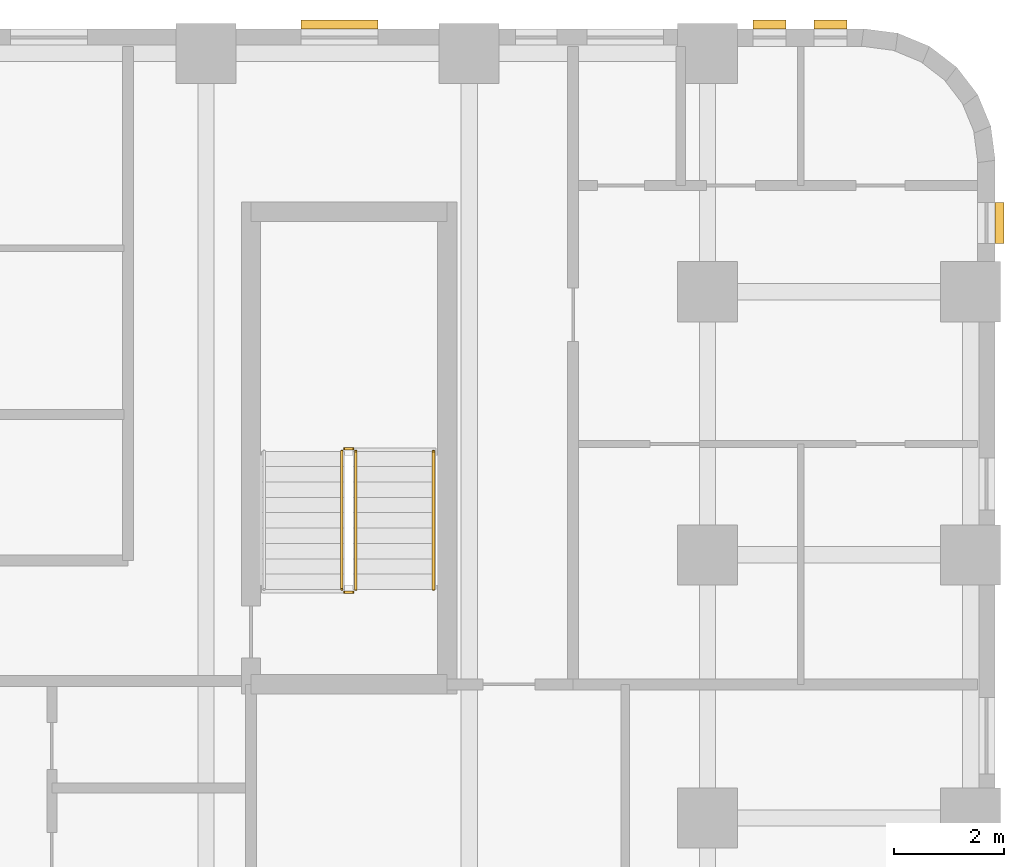
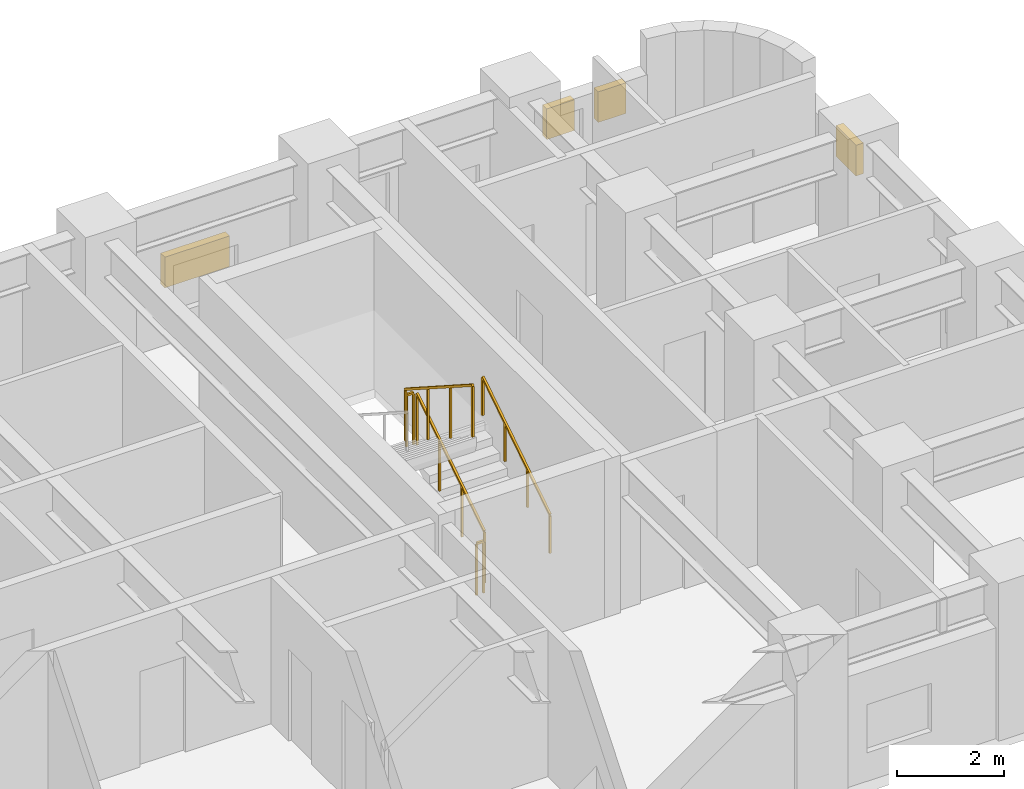
# One storey, part 11 of 11: 5 railings, 4 shading devices.
"""IFC4 building model written with IfcOpenShell, lengths in metres."""

import ifcopenshell
import ifcopenshell.guid

model = None  # the IFC model being written
_history = None  # IfcOwnerHistory: only IFC2X3 demands one
_inside = {}  # id of a spatial element -> (the spatial element, [elements in it])
_under = {}  # id of a project, library or spatial element -> (it, [spatial elements below it])
_declared = {}  # id of a project -> (the project, [libraries it declares])
_typed = {}  # id of a type object -> (the type object, [elements of that type])
_made_of = {}  # id of a material, layer set ... -> (it, [elements and type objects made of it])


def new_model(schema):
    """Start an empty IFC model of exactly this schema.

    Asked for "IFC4X3", IfcOpenShell would pick the latest addendum, in which some entities
    have other attributes; the version numbers below select the first issue.
    IFC2X3 requires an IfcOwnerHistory on every rooted entity: one is made here for all.
    """
    global model, _history
    if schema == "IFC4X3":
        model = ifcopenshell.file(schema_version=(4, 3, 0, 0))
    else:
        model = ifcopenshell.file(schema=schema)
    _inside.clear()
    _under.clear()
    _declared.clear()
    _typed.clear()
    _made_of.clear()
    _history = None
    if model.schema == "IFC2X3":
        org = make("IfcOrganization", Name="unknown")
        user = make(
            "IfcPersonAndOrganization",
            ThePerson=make("IfcPerson", FamilyName="unknown"),
            TheOrganization=org,
        )
        app = make(
            "IfcApplication",
            ApplicationDeveloper=org,
            Version="unknown",
            ApplicationFullName="unknown",
            ApplicationIdentifier="unknown",
        )
        _history = make(
            "IfcOwnerHistory",
            OwningUser=user,
            OwningApplication=app,
            ChangeAction="ADDED",
            CreationDate=0,
        )
    return model


def make(cls, **values):
    """One entity of the class cls with the attributes given. An attribute that is None is left unset."""
    return model.create_entity(
        cls, **{name: value for name, value in values.items() if value is not None}
    )


def rooted(cls, **values):
    """An entity with a GlobalId (a new one), such as an element, a storey or a relation."""
    return make(cls, GlobalId=ifcopenshell.guid.new(), OwnerHistory=_history, **values)


def si_unit(unit_type, name, prefix=None):
    """IfcSIUnit, for example si_unit("LENGTHUNIT", "METRE", prefix="MILLI")."""
    return make("IfcSIUnit", UnitType=unit_type, Prefix=prefix, Name=name)


def assignment(units):
    """IfcUnitAssignment: the units of a project."""
    return None if units is None else make("IfcUnitAssignment", Units=units)


def point(xyz):
    """IfcCartesianPoint."""
    return None if xyz is None else make("IfcCartesianPoint", Coordinates=xyz)


def direction(xyz):
    """IfcDirection."""
    return None if xyz is None else make("IfcDirection", DirectionRatios=xyz)


def frame(location, z_axis=None, x_axis=None):
    """IfcAxis2Placement3D, a coordinate frame: its origin and axes. An axis left out is left unset."""
    return make(
        "IfcAxis2Placement3D",
        Location=point(location),
        Axis=direction(z_axis),
        RefDirection=direction(x_axis),
    )


def frame_2d(location, x_axis=None):
    """IfcAxis2Placement2D, a coordinate frame in the plane: its origin and x axis."""
    return make(
        "IfcAxis2Placement2D", Location=point(location), RefDirection=direction(x_axis)
    )


def origin():
    """The frame at (0, 0, 0) with its axes left unset."""
    return frame((0.0, 0.0, 0.0))


def origin_2d():
    """The frame at (0, 0) in the plane with its x axis left unset."""
    return frame_2d((0.0, 0.0))


def place(relative_to, where):
    """IfcLocalPlacement: puts the frame where relative to a parent placement (None: the world)."""
    return make(
        "IfcLocalPlacement", PlacementRelTo=relative_to, RelativePlacement=where
    )


def context(
    kind, dimensions, precision=None, world=None, true_north=None, identifier=None
):
    """IfcGeometricRepresentationContext, for example the 3D "Model" context."""
    return make(
        "IfcGeometricRepresentationContext",
        ContextIdentifier=identifier,
        ContextType=kind,
        CoordinateSpaceDimension=dimensions,
        Precision=precision,
        WorldCoordinateSystem=world,
        TrueNorth=true_north,
    )


def subcontext(parent, identifier, kind, view, scale=None):
    """IfcGeometricRepresentationSubContext, for example "Body" below "Model"."""
    return make(
        "IfcGeometricRepresentationSubContext",
        ContextIdentifier=identifier,
        ContextType=kind,
        ParentContext=parent,
        TargetScale=scale,
        TargetView=view,
    )


def project(units=None, contexts=None):
    """IfcProject with its units and contexts."""
    return rooted(
        "IfcProject",
        Name="project",
        RepresentationContexts=contexts,
        UnitsInContext=assignment(units),
    )


def spatial(cls, under=None, at=None, **own):
    """A site, building, storey or space (cls), placed at a placement, below another one or the project."""
    s = rooted(cls, ObjectPlacement=at, **own)
    if under is not None:
        _under.setdefault(under.id(), (under, []))[1].append(s)
    return s


def profile(cls, at=None, kind="AREA", **sizes):
    """A parametric profile (cls). Its sizes go by their IFC names, for example OverallWidth=200.0."""
    return make(cls, ProfileType=kind, Position=at, **sizes)


def rectangle(**sizes):
    """IfcRectangleProfileDef."""
    return profile("IfcRectangleProfileDef", **sizes)


def extrude(swept, where, along, depth):
    """IfcExtrudedAreaSolid: the profile swept, set in the frame where, extruded along a direction by depth."""
    return make(
        "IfcExtrudedAreaSolid",
        SweptArea=swept,
        Position=where,
        ExtrudedDirection=direction(along),
        Depth=depth,
    )


def shape(context_of_items, identifier, shape_type, items):
    """IfcShapeRepresentation: the items that make up one representation, for example the "Body"."""
    return make(
        "IfcShapeRepresentation",
        ContextOfItems=context_of_items,
        RepresentationIdentifier=identifier,
        RepresentationType=shape_type,
        Items=items,
    )


def material(Name=None, Category=None):
    """IfcMaterial."""
    return make("IfcMaterial", Name=Name, Category=Category)


def made_of(thing, what):
    """Note that an element or type object is made of a material, layer set ...; save() writes the relation."""
    if what is not None:
        _made_of.setdefault(what.id(), (what, []))[1].append(thing)
    return thing


def type_object(cls, material=None, **own):
    """A type object (cls), such as IfcWallType, which elements share."""
    return made_of(rooted(cls, **own), material)


def element(
    cls,
    number,
    at=None,
    inside=None,
    cuts=None,
    type_object=None,
    material=None,
    context=None,
    identifier="Body",
    shape_type=None,
    held_by="IfcProductDefinitionShape",
    body=None,
    shapes=None,
    **own,
):
    """One element of the class cls, such as IfcWall. Its Tag is "e" and its number.

    at: its placement. inside: the storey or other place that contains it. cuts: it is an
    opening in that element (IfcRelVoidsElement). A single representation is given by context,
    identifier, shape_type and body (its items); several are given by shapes. held_by: the class
    of the entity that holds the representations. save() writes the other relations.
    """
    e = rooted(cls, Tag="e%d" % number, ObjectPlacement=at, **own)
    if body is not None:
        shapes = [shape(context, identifier, shape_type, body)]
    if shapes is not None:
        e.Representation = make(held_by, Representations=shapes)
    if inside is not None:
        _inside.setdefault(inside.id(), (inside, []))[1].append(e)
    if cuts is not None:
        rooted(
            "IfcRelVoidsElement", RelatingBuildingElement=cuts, RelatedOpeningElement=e
        )
    if type_object is not None:
        _typed.setdefault(type_object.id(), (type_object, []))[1].append(e)
    return made_of(e, material)


def aggregate(whole, parts):
    """IfcRelAggregates: a whole, such as a stair, and the parts it consists of."""
    return rooted("IfcRelAggregates", RelatingObject=whole, RelatedObjects=parts)


def save(model, path):
    """Write the relations noted so far, then the file.

    IfcRelAggregates (storeys below a building ...), IfcRelContainedInSpatialStructure (elements
    in a storey), IfcRelDefinesByType, IfcRelAssociatesMaterial and IfcRelDeclares: one each for
    every whole, place, type object, material and project.
    """
    for whole, parts in _under.values():
        aggregate(whole, parts)
    for where, things in _inside.values():
        rooted(
            "IfcRelContainedInSpatialStructure",
            RelatedElements=things,
            RelatingStructure=where,
        )
    for kind, things in _typed.values():
        rooted("IfcRelDefinesByType", RelatedObjects=things, RelatingType=kind)
    for what, things in _made_of.values():
        rooted("IfcRelAssociatesMaterial", RelatedObjects=things, RelatingMaterial=what)
    for by, libraries in _declared.values():
        rooted("IfcRelDeclares", RelatingContext=by, RelatedDefinitions=libraries)
    model.write(path)


model = new_model("IFC4")

# Units and contexts
model_context = context("Model", 3, precision=1e-05, world=origin(), true_north=direction((0.0, 1.0)))
body_context = subcontext(model_context, "Body", "Model", "MODEL_VIEW")
ifc_project = project(units=[si_unit("LENGTHUNIT", "METRE"), si_unit("AREAUNIT", "SQUARE_METRE"), si_unit("VOLUMEUNIT", "CUBIC_METRE"), si_unit("PLANEANGLEUNIT", "RADIAN"), si_unit("MASSUNIT", "GRAM", prefix="KILO")], contexts=[model_context])

# Site, building, storey
site_placement = place(None, origin())
site = spatial("IfcSite", under=ifc_project, at=site_placement, CompositionType="ELEMENT")
building_placement = place(site_placement, origin())
building = spatial("IfcBuilding", under=site, at=building_placement, Name="Orvandelia Arch Residences", CompositionType="ELEMENT")
storey_placement = place(building_placement, frame((0.0, 0.0, 25.0)))
storey = spatial("IfcBuildingStorey", under=building, at=storey_placement, Name="L05", CompositionType="ELEMENT", Elevation=25.0)

# Railings
ifc_material_1 = material(Name="Brushed Stainless Steel 304", Category="steel")
railing_type_1 = type_object("IfcRailingType", Name="RL-STAIR-GD1120", PredefinedType="GUARDRAIL", material=ifc_material_1)
railing_1_placement = place(storey_placement, frame((45.929931640625, 37.77001953125, 0.179931640625)))
element("IfcRailing", 1, at=railing_1_placement, inside=storey, type_object=railing_type_1, Name="L05 ST-3 stair guard 1", PredefinedType="GUARDRAIL", context=body_context, shape_type="SweptSolid", body=[
    extrude(rectangle(XDim=0.048095703125, YDim=0.048095703125, at=origin_2d()), frame((0.0, 0.0, 1.17578125), z_axis=(0.0, 0.841162588446, 0.540782303519), x_axis=(-1.0, 0.0, 0.0)), (0.0, 0.0, 1.0), 2.995849609375),
    extrude(rectangle(XDim=0.0419921875, YDim=0.0419921875, at=origin_2d()), origin(), (0.0, 0.0, 1.0), 1.15185546875),
    extrude(rectangle(XDim=0.0419921875, YDim=0.0419921875, at=origin_2d()), frame((0.0, 0.840087890625, 0.5400390625)), (0.0, 0.0, 1.0), 1.15185546875),
    extrude(rectangle(XDim=0.0419921875, YDim=0.0419921875, at=origin_2d()), frame((0.0, 1.679931640625, 1.080078125)), (0.0, 0.0, 1.0), 1.15185546875),
    extrude(rectangle(XDim=0.0419921875, YDim=0.0419921875, at=origin_2d()), frame((0.0, 2.52001953125, 1.6201171875)), (0.0, 0.0, 1.0), 1.15185546875),
])
railing_2_placement = place(storey_placement, frame((45.8798828125, 40.340087890625, 1.800048828125)))
element("IfcRailing", 2, at=railing_2_placement, inside=storey, type_object=railing_type_1, Name="L05 ST-3 stair guard 2", PredefinedType="GUARDRAIL", context=body_context, shape_type="SweptSolid", body=[
    extrude(rectangle(XDim=0.048095703125, YDim=0.048095703125, at=origin_2d()), frame((0.0, 0.0, 1.17578125), z_axis=(-1.0, 0.0, 0.0), x_axis=(0.0, -1.0, 0.0)), (0.0, 0.0, 1.0), 0.14990234375),
    extrude(rectangle(XDim=0.0419921875, YDim=0.0419921875, at=origin_2d()), origin(), (0.0, 0.0, 1.0), 1.15185546875),
    extrude(rectangle(XDim=0.0419921875, YDim=0.0419921875, at=origin_2d()), frame((-0.14990234375, 0.0, 0.0)), (0.0, 0.0, 1.0), 1.15185546875),
])
railing_3_placement = place(storey_placement, frame((45.679931640625, 40.2900390625, 1.97998046875)))
element("IfcRailing", 3, at=railing_3_placement, inside=storey, type_object=railing_type_1, Name="L05 ST-3 stair guard 3", PredefinedType="GUARDRAIL", context=body_context, shape_type="SweptSolid", body=[
    extrude(rectangle(XDim=0.048095703125, YDim=0.048095703125, at=origin_2d()), frame((0.0, 0.0, 1.17578125), z_axis=(0.0, -0.841162588446, 0.540782303519), x_axis=(1.0, 0.0, 0.0)), (0.0, 0.0, 1.0), 2.995849609375),
    extrude(rectangle(XDim=0.0419921875, YDim=0.0419921875, at=origin_2d()), origin(), (0.0, 0.0, 1.0), 1.15185546875),
    extrude(rectangle(XDim=0.0419921875, YDim=0.0419921875, at=origin_2d()), frame((0.0, -0.840087890625, 0.5400390625)), (0.0, 0.0, 1.0), 1.15185546875),
    extrude(rectangle(XDim=0.0419921875, YDim=0.0419921875, at=origin_2d()), frame((0.0, -1.679931640625, 1.080078125)), (0.0, 0.0, 1.0), 1.15185546875),
    extrude(rectangle(XDim=0.0419921875, YDim=0.0419921875, at=origin_2d()), frame((0.0, -2.52001953125, 1.6201171875)), (0.0, 0.0, 1.0), 1.15185546875),
])
railing_4_placement = place(storey_placement, frame((45.8798828125, 37.719970703125, 0.0)))
element("IfcRailing", 4, at=railing_4_placement, inside=storey, type_object=railing_type_1, Name="L05 ST-3 stair guard 4", PredefinedType="GUARDRAIL", context=body_context, shape_type="SweptSolid", body=[
    extrude(rectangle(XDim=0.048095703125, YDim=0.048095703125, at=origin_2d()), frame((0.0, 0.0, 1.17578125), z_axis=(-1.0, 0.0, 0.0), x_axis=(0.0, -1.0, 0.0)), (0.0, 0.0, 1.0), 0.14990234375),
    extrude(rectangle(XDim=0.0419921875, YDim=0.0419921875, at=origin_2d()), origin(), (0.0, 0.0, 1.0), 1.15185546875),
    extrude(rectangle(XDim=0.0419921875, YDim=0.0419921875, at=origin_2d()), frame((-0.14990234375, 0.0, 0.0)), (0.0, 0.0, 1.0), 1.15185546875),
])
railing_type_2 = type_object("IfcRailingType", Name="RL-STAIR-HR920", PredefinedType="HANDRAIL", material=ifc_material_1)
railing_5_placement = place(storey_placement, frame((47.35009765625, 37.77001953125, 0.360107421875)))
element("IfcRailing", 5, at=railing_5_placement, inside=storey, type_object=railing_type_2, Name="L05 ST-3 stair handrail 1", PredefinedType="HANDRAIL", context=body_context, shape_type="SweptSolid", body=[
    extrude(rectangle(XDim=0.048095703125, YDim=0.048095703125, at=origin_2d()), frame((0.0, 0.0, 0.8759765625), z_axis=(0.0, 0.841199657755, 0.540724639528), x_axis=(-1.0, 0.0, 0.0)), (0.0, 0.0, 1.0), 2.995849609375),
    extrude(rectangle(XDim=0.0419921875, YDim=0.0419921875, at=origin_2d()), origin(), (0.0, 0.0, 1.0), 0.851806640625),
    extrude(rectangle(XDim=0.0419921875, YDim=0.0419921875, at=origin_2d()), frame((0.0, 0.840087890625, 0.5400390625)), (0.0, 0.0, 1.0), 0.851806640625),
    extrude(rectangle(XDim=0.0419921875, YDim=0.0419921875, at=origin_2d()), frame((0.0, 1.679931640625, 1.079833984375)), (0.0, 0.0, 1.0), 0.851806640625),
    extrude(rectangle(XDim=0.0419921875, YDim=0.0419921875, at=origin_2d()), frame((0.0, 2.52001953125, 1.619873046875)), (0.0, 0.0, 1.0), 0.851806640625),
])

# Shading devices
ifc_material_2 = material(Name="Anodised Champagne-Bronze Extruded Aluminium", Category="aluminium")
shading_device_type = type_object("IfcShadingDeviceType", Name="SHD-JALOUSIE-SCREEN", PredefinedType="JALOUSIE", material=ifc_material_2)
shading_device_1_placement = place(storey_placement, frame((54.593994140625, 48.080078125, 1.5498046875), z_axis=(0.0, 0.0, 1.0), x_axis=(1.0, 0.0, 0.0)))
element("IfcShadingDevice", 6, at=shading_device_1_placement, inside=storey, type_object=shading_device_type, Name="Bronze Jalousie Sun-Shade L05-001", PredefinedType="JALOUSIE", context=body_context, shape_type="SweptSolid", body=[
    extrude(rectangle(XDim=0.60009765625, YDim=0.159912109375, at=origin_2d()), origin(), (0.0, 0.0, 1.0), 0.699951171875),
])
shading_device_2_placement = place(storey_placement, frame((45.635986328125, 48.080078125, 1.0498046875), z_axis=(0.0, 0.0, 1.0), x_axis=(1.0, 0.0, 0.0)))
element("IfcShadingDevice", 7, at=shading_device_2_placement, inside=storey, type_object=shading_device_type, Name="Bronze Jalousie Sun-Shade L05-002", PredefinedType="JALOUSIE", context=body_context, shape_type="SweptSolid", body=[
    extrude(rectangle(XDim=1.39990234375, YDim=0.159912109375, at=origin_2d()), origin(), (0.0, 0.0, 1.0), 0.699951171875),
])
shading_device_3_placement = place(storey_placement, frame((53.48388671875, 48.080078125, 1.5498046875), z_axis=(0.0, 0.0, 1.0), x_axis=(1.0, 0.0, 0.0)))
element("IfcShadingDevice", 8, at=shading_device_3_placement, inside=storey, type_object=shading_device_type, Name="Bronze Jalousie Sun-Shade L05-004", PredefinedType="JALOUSIE", context=body_context, shape_type="SweptSolid", body=[
    extrude(rectangle(XDim=0.60009765625, YDim=0.159912109375, at=origin_2d()), origin(), (0.0, 0.0, 1.0), 0.699951171875),
])
shading_device_4_placement = place(storey_placement, frame((57.679931640625, 44.45458984375, 1.5498046875), z_axis=(0.0, 0.0, 1.0), x_axis=(0.0, -1.0, 0.0)))
element("IfcShadingDevice", 9, at=shading_device_4_placement, inside=storey, type_object=shading_device_type, Name="Bronze Jalousie Sun-Shade L05-005", PredefinedType="JALOUSIE", context=body_context, shape_type="SweptSolid", body=[
    extrude(rectangle(XDim=0.75, YDim=0.159912109375, at=origin_2d()), origin(), (0.0, 0.0, 1.0), 0.699951171875),
])

save(model, "model.ifc")
